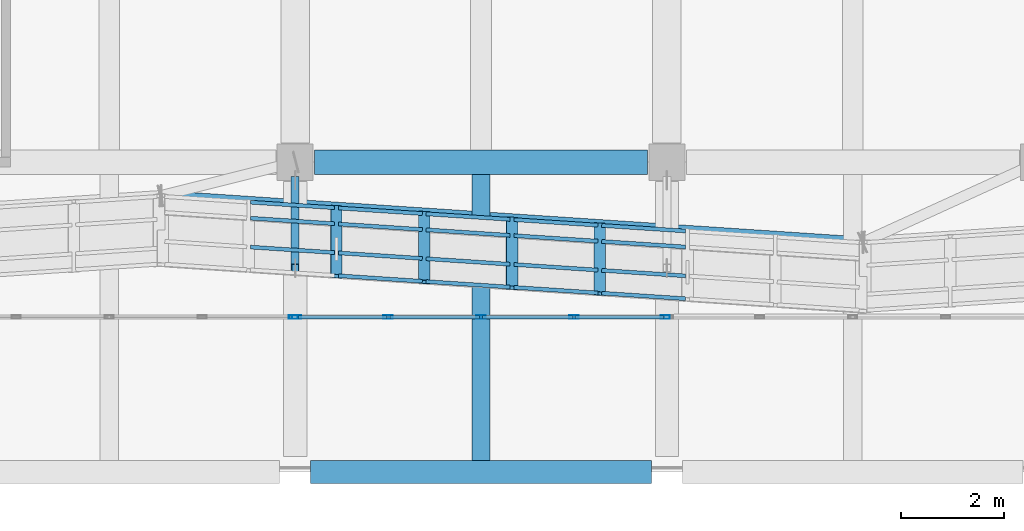
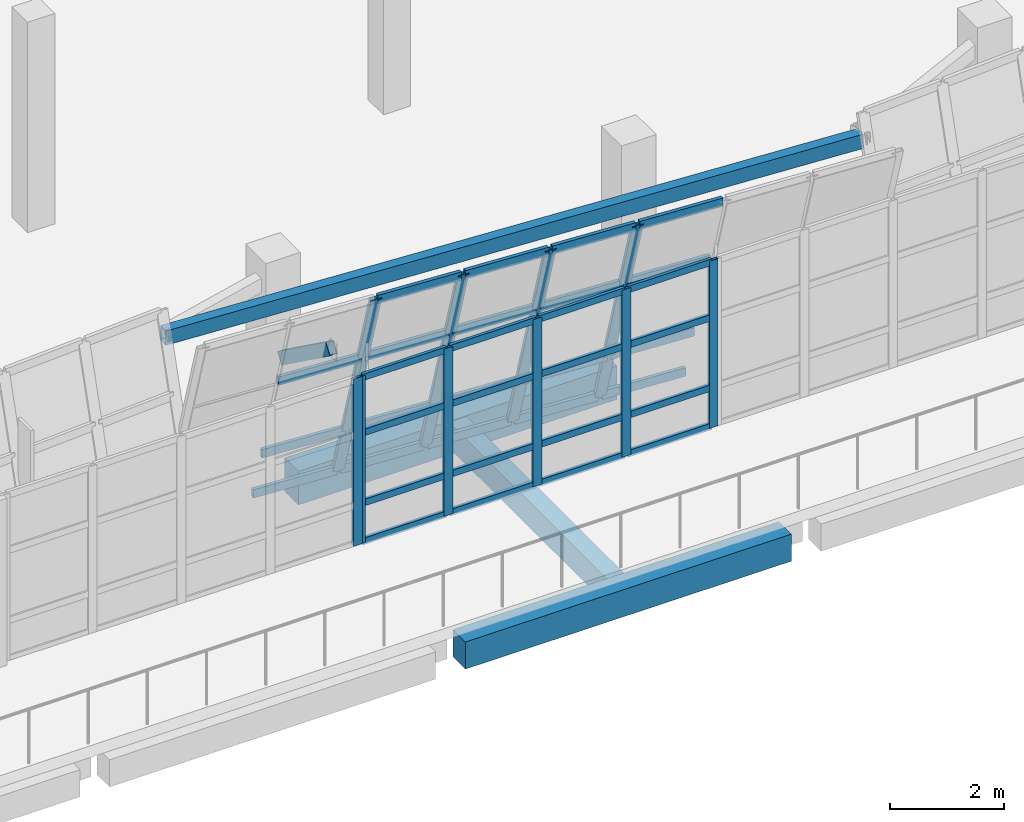
# One storey, part 9 of 67: 46 members, 4 beams, 3 elements without a shape of their own.
"""IFC4 building model written with IfcOpenShell, lengths in metres."""

from ifc_helpers import new_model, si_unit, direction, frame, origin, origin_2d, place, context, subcontext, project, spatial, rectangle, hollow_rectangle, extrude, material, material_profile, profile_set, type_object, element, aggregate, save


model = new_model("IFC4")

# Units and contexts
model_context = context("Model", 3, precision=1e-05, world=origin(), true_north=direction((0.0, 1.0)))
body_context = subcontext(model_context, "Body", "Model", "MODEL_VIEW")
ifc_project = project(units=[si_unit("LENGTHUNIT", "METRE"), si_unit("AREAUNIT", "SQUARE_METRE"), si_unit("VOLUMEUNIT", "CUBIC_METRE"), si_unit("PLANEANGLEUNIT", "RADIAN"), si_unit("MASSUNIT", "GRAM", prefix="KILO")], contexts=[model_context])

# Site, building, storey
site_placement = place(None, origin())
site = spatial("IfcSite", under=ifc_project, at=site_placement, CompositionType="ELEMENT")
building_placement = place(site_placement, origin())
building = spatial("IfcBuilding", under=site, at=building_placement, Name="Pellamere Symphony Hall", CompositionType="ELEMENT")
storey_placement = place(building_placement, frame((0.0, 0.0, 19.5)))
storey = spatial("IfcBuildingStorey", under=building, at=storey_placement, Name="L04", CompositionType="ELEMENT", Elevation=19.5)

# Curtain wall, members
ifc_material_1 = material(Name="Thermally Broken Anodised Aluminium 6063-T6 Curtain Wall", Category="aluminium")
curtain_wall_type_1 = type_object("IfcCurtainWallType", Name="Curtain Wall CW-01 (Tilted Faceted Crystal Low-Iron Curtain Wall)", PredefinedType="NOTDEFINED", material=ifc_material_1)
curtain_wall_1_placement = place(storey_placement, origin())
curtain_wall_1 = element("IfcCurtainWall", 1, at=curtain_wall_1_placement, inside=storey, type_object=curtain_wall_type_1, Name="Crystal Faceted Curtain Wall CW-CR03 (L04)", PredefinedType="NOTDEFINED")
ifc_material_2 = material(Name="Anodised Architectural Aluminium 6063-T6", Category="aluminium")
ifc_material_profile_1 = material_profile(ifc_material_2, hollow_rectangle(XDim=0.074951171875, YDim=0.219970703125, WallThickness=0.0048828125, at=origin_2d()), Name="ALU-M75X220X5")
ifc_profile_set_1 = profile_set([ifc_material_profile_1], Name="Anodised Architectural Aluminium 6063-T6")
member_type_1 = type_object("IfcMemberType", Name="Curtain Wall Mullion ML-01 ALU-M75X220X5", PredefinedType="MULLION", material=ifc_profile_set_1)
member_1_placement = place(storey_placement, frame((81.199951171875, 29.125, 0.0), z_axis=(0.0, -0.284024567884, 0.95881700279), x_axis=(0.066032040643, 0.956724387709, 0.283404685161)))
member_1 = element("IfcMember", 2, at=member_1_placement, type_object=member_type_1, Name="CW1-003 crystal mullion 3", PredefinedType="MULLION", context=body_context, shape_type="SweptSolid", body=[
    extrude(hollow_rectangle(XDim=0.074951171875, YDim=0.219970703125, WallThickness=0.0048828125, at=origin_2d()), origin(), (0.0, 0.0, 1.0), 4.693359375),
])
member_2_placement = place(storey_placement, frame((82.89990234375, 29.012451171875, 0.0), z_axis=(0.0, -0.284024567884, 0.95881700279), x_axis=(0.066032040643, 0.956724387709, 0.283404685161)))
member_2 = element("IfcMember", 3, at=member_2_placement, type_object=member_type_1, Name="CW1-003 crystal mullion 4", PredefinedType="MULLION", context=body_context, shape_type="SweptSolid", body=[
    extrude(hollow_rectangle(XDim=0.074951171875, YDim=0.219970703125, WallThickness=0.0048828125, at=origin_2d()), origin(), (0.0, 0.0, 1.0), 4.693359375),
])
member_3_placement = place(storey_placement, frame((84.60009765625, 28.89990234375, 0.0), z_axis=(0.0, -0.284024567884, 0.95881700279), x_axis=(0.066032040643, 0.956724387709, 0.283404685161)))
member_3 = element("IfcMember", 4, at=member_3_placement, type_object=member_type_1, Name="CW1-003 crystal mullion 5", PredefinedType="MULLION", context=body_context, shape_type="SweptSolid", body=[
    extrude(hollow_rectangle(XDim=0.074951171875, YDim=0.219970703125, WallThickness=0.0048828125, at=origin_2d()), origin(), (0.0, 0.0, 1.0), 4.693359375),
])
member_4_placement = place(storey_placement, frame((86.300048828125, 28.78759765625, 0.0), z_axis=(0.0, -0.284024567884, 0.95881700279), x_axis=(0.066032040643, 0.956724387709, 0.283404685161)))
member_4 = element("IfcMember", 5, at=member_4_placement, type_object=member_type_1, Name="CW1-003 crystal mullion 6", PredefinedType="MULLION", context=body_context, shape_type="SweptSolid", body=[
    extrude(hollow_rectangle(XDim=0.074951171875, YDim=0.219970703125, WallThickness=0.0048828125, at=origin_2d()), origin(), (0.0, 0.0, 1.0), 4.693359375),
])

# Curtain wall, member
curtain_wall_type_2 = type_object("IfcCurtainWallType", Name="Curtain Wall CW-06 (Belvedere Terrace Clerestory Curtain Wall)", PredefinedType="NOTDEFINED", material=ifc_material_1)
curtain_wall_2_placement = place(storey_placement, origin())
curtain_wall_2 = element("IfcCurtainWall", 6, at=curtain_wall_2_placement, inside=storey, type_object=curtain_wall_type_2, Name="Winter-Garden South Curtain Wall (L04 Bay 4)", PredefinedType="NOTDEFINED")
ifc_material_profile_2 = material_profile(ifc_material_2, hollow_rectangle(XDim=0.06494140625, YDim=0.179931640625, WallThickness=0.00390625, at=origin_2d()), Name="ALU-M65X180X4")
ifc_profile_set_2 = profile_set([ifc_material_profile_2], Name="Anodised Architectural Aluminium 6063-T6")
member_type_2 = type_object("IfcMemberType", Name="Curtain Wall Mullion ML-02 ALU-M65X180X4", PredefinedType="MULLION", material=ifc_profile_set_2)
member_5_placement = place(storey_placement, frame((80.367431640625, 27.0, 0.0), z_axis=(0.0, 0.0, 1.0), x_axis=(0.0, 1.0, 0.0)))
member_5 = element("IfcMember", 7, at=member_5_placement, type_object=member_type_2, Name="CW2-097 crystal mullion 5", PredefinedType="MULLION", context=body_context, shape_type="SweptSolid", body=[
    extrude(hollow_rectangle(XDim=0.06494140625, YDim=0.179931640625, WallThickness=0.00390625, at=origin_2d()), origin(), (0.0, 0.0, 1.0), 3.577392578125),
])
aggregate(curtain_wall_2, [member_5])

# Curtain wall, members
curtain_wall_3_placement = place(storey_placement, origin())
curtain_wall_3 = element("IfcCurtainWall", 8, at=curtain_wall_3_placement, inside=storey, type_object=curtain_wall_type_2, Name="Winter-Garden South Curtain Wall (L04 Bay 5)", PredefinedType="NOTDEFINED")
member_6_placement = place(storey_placement, frame((80.4326171875, 27.0, 0.0), z_axis=(0.0, 0.0, 1.0), x_axis=(0.0, 1.0, 0.0)))
member_6 = element("IfcMember", 9, at=member_6_placement, type_object=member_type_2, Name="CW2-098 crystal mullion 1", PredefinedType="MULLION", context=body_context, shape_type="SweptSolid", body=[
    extrude(hollow_rectangle(XDim=0.06494140625, YDim=0.179931640625, WallThickness=0.00390625, at=origin_2d()), origin(), (0.0, 0.0, 1.0), 3.577392578125),
])
member_7_placement = place(storey_placement, frame((82.199951171875, 27.0, 0.0), z_axis=(0.0, 0.0, 1.0), x_axis=(0.0, 1.0, 0.0)))
member_7 = element("IfcMember", 10, at=member_7_placement, type_object=member_type_2, Name="CW2-098 crystal mullion 2", PredefinedType="MULLION", context=body_context, shape_type="SweptSolid", body=[
    extrude(hollow_rectangle(XDim=0.06494140625, YDim=0.179931640625, WallThickness=0.00390625, at=origin_2d()), origin(), (0.0, 0.0, 1.0), 3.577392578125),
])
member_8_placement = place(storey_placement, frame((84.0, 27.0, 0.0), z_axis=(0.0, 0.0, 1.0), x_axis=(0.0, 1.0, 0.0)))
member_8 = element("IfcMember", 11, at=member_8_placement, type_object=member_type_2, Name="CW2-098 crystal mullion 3", PredefinedType="MULLION", context=body_context, shape_type="SweptSolid", body=[
    extrude(hollow_rectangle(XDim=0.06494140625, YDim=0.179931640625, WallThickness=0.00390625, at=origin_2d()), origin(), (0.0, 0.0, 1.0), 3.577392578125),
])
member_9_placement = place(storey_placement, frame((85.800048828125, 27.0, 0.0), z_axis=(0.0, 0.0, 1.0), x_axis=(0.0, 1.0, 0.0)))
member_9 = element("IfcMember", 12, at=member_9_placement, type_object=member_type_2, Name="CW2-098 crystal mullion 4", PredefinedType="MULLION", context=body_context, shape_type="SweptSolid", body=[
    extrude(hollow_rectangle(XDim=0.06494140625, YDim=0.179931640625, WallThickness=0.00390625, at=origin_2d()), origin(), (0.0, 0.0, 1.0), 3.577392578125),
])
member_10_placement = place(storey_placement, frame((87.5673828125, 27.0, 0.0), z_axis=(0.0, 0.0, 1.0), x_axis=(0.0, 1.0, 0.0)))
member_10 = element("IfcMember", 13, at=member_10_placement, type_object=member_type_2, Name="CW2-098 crystal mullion 5", PredefinedType="MULLION", context=body_context, shape_type="SweptSolid", body=[
    extrude(hollow_rectangle(XDim=0.06494140625, YDim=0.179931640625, WallThickness=0.00390625, at=origin_2d()), origin(), (0.0, 0.0, 1.0), 3.577392578125),
])

# Member
ifc_material_profile_3 = material_profile(ifc_material_2, hollow_rectangle(XDim=0.074951171875, YDim=0.179931640625, WallThickness=0.0048828125, at=origin_2d()), Name="ALU-T75X180X5")
ifc_profile_set_3 = profile_set([ifc_material_profile_3], Name="Anodised Architectural Aluminium 6063-T6")
member_type_3 = type_object("IfcMemberType", Name="Curtain Wall Transom TR-01 ALU-T75X180X5", PredefinedType="USERDEFINED", material=ifc_profile_set_3)
member_11_placement = place(storey_placement, frame((79.537353515625, 29.224365234375, 0.035888671875), z_axis=(0.997822801026, -0.065951935174, 0.0), x_axis=(0.065951935174, 0.997822801026, 0.0)))
member_11 = element("IfcMember", 14, at=member_11_placement, type_object=member_type_3, Name="CW1-003 crystal transom 2.1", ObjectType="TRANSOM", PredefinedType="USERDEFINED", context=body_context, shape_type="SweptSolid", body=[
    extrude(hollow_rectangle(XDim=0.074951171875, YDim=0.179931640625, WallThickness=0.0048828125, at=origin_2d()), origin(), (0.0, 0.0, 1.0), 1.62890625),
])

member_12_placement = place(storey_placement, frame((79.537353515625, 28.9150390625, 1.080078125), z_axis=(0.997822801026, -0.065951935174, 0.0), x_axis=(0.065951935174, 0.997822801026, 0.0)))
member_12 = element("IfcMember", 15, at=member_12_placement, type_object=member_type_3, Name="CW1-003 crystal transom 2.2", ObjectType="TRANSOM", PredefinedType="USERDEFINED", context=body_context, shape_type="SweptSolid", body=[
    extrude(hollow_rectangle(XDim=0.074951171875, YDim=0.179931640625, WallThickness=0.0048828125, at=origin_2d()), origin(), (0.0, 0.0, 1.0), 1.62890625),
])

member_13_placement = place(storey_placement, frame((79.537353515625, 28.355224609375, 2.969970703125), z_axis=(0.997822801026, -0.065951935174, 0.0), x_axis=(0.065951935174, 0.997822801026, 0.0)))
member_13 = element("IfcMember", 16, at=member_13_placement, type_object=member_type_3, Name="CW1-003 crystal transom 2.3", ObjectType="TRANSOM", PredefinedType="USERDEFINED", context=body_context, shape_type="SweptSolid", body=[
    extrude(hollow_rectangle(XDim=0.074951171875, YDim=0.179931640625, WallThickness=0.0048828125, at=origin_2d()), origin(), (0.0, 0.0, 1.0), 1.62890625),
])

member_14_placement = place(storey_placement, frame((81.2373046875, 29.11181640625, 0.035888671875), z_axis=(0.997822801026, -0.065951935174, 0.0), x_axis=(0.065951935174, 0.997822801026, 0.0)))
member_14 = element("IfcMember", 17, at=member_14_placement, type_object=member_type_3, Name="CW1-003 crystal transom 3.1", ObjectType="TRANSOM", PredefinedType="USERDEFINED", context=body_context, shape_type="SweptSolid", body=[
    extrude(hollow_rectangle(XDim=0.074951171875, YDim=0.179931640625, WallThickness=0.0048828125, at=origin_2d()), origin(), (0.0, 0.0, 1.0), 1.62890625),
])

member_15_placement = place(storey_placement, frame((81.2373046875, 28.802490234375, 1.080078125), z_axis=(0.997822801026, -0.065951935174, 0.0), x_axis=(0.065951935174, 0.997822801026, 0.0)))
member_15 = element("IfcMember", 18, at=member_15_placement, type_object=member_type_3, Name="CW1-003 crystal transom 3.2", ObjectType="TRANSOM", PredefinedType="USERDEFINED", context=body_context, shape_type="SweptSolid", body=[
    extrude(hollow_rectangle(XDim=0.074951171875, YDim=0.179931640625, WallThickness=0.0048828125, at=origin_2d()), origin(), (0.0, 0.0, 1.0), 1.62890625),
])

member_16_placement = place(storey_placement, frame((81.2373046875, 28.24267578125, 2.969970703125), z_axis=(0.997822801026, -0.065951935174, 0.0), x_axis=(0.065951935174, 0.997822801026, 0.0)))
member_16 = element("IfcMember", 19, at=member_16_placement, type_object=member_type_3, Name="CW1-003 crystal transom 3.3", ObjectType="TRANSOM", PredefinedType="USERDEFINED", context=body_context, shape_type="SweptSolid", body=[
    extrude(hollow_rectangle(XDim=0.074951171875, YDim=0.179931640625, WallThickness=0.0048828125, at=origin_2d()), origin(), (0.0, 0.0, 1.0), 1.62890625),
])

member_17_placement = place(storey_placement, frame((81.2373046875, 27.80029296875, 4.464111328125), z_axis=(0.9978129259, -0.066101171747, 0.0), x_axis=(0.066101171747, 0.9978129259, 0.0)))
member_17 = element("IfcMember", 20, at=member_17_placement, type_object=member_type_3, Name="CW1-003 crystal transom 3.4", ObjectType="TRANSOM", PredefinedType="USERDEFINED", context=body_context, shape_type="SweptSolid", body=[
    extrude(hollow_rectangle(XDim=0.074951171875, YDim=0.179931640625, WallThickness=0.0048828125, at=origin_2d()), origin(), (0.0, 0.0, 1.0), 1.62890625),
])

member_18_placement = place(storey_placement, frame((82.9375, 28.999267578125, 0.035888671875), z_axis=(0.997822148906, -0.065961800709, 0.0), x_axis=(0.065961800709, 0.997822148906, 0.0)))
member_18 = element("IfcMember", 21, at=member_18_placement, type_object=member_type_3, Name="CW1-003 crystal transom 4.1", ObjectType="TRANSOM", PredefinedType="USERDEFINED", context=body_context, shape_type="SweptSolid", body=[
    extrude(hollow_rectangle(XDim=0.074951171875, YDim=0.179931640625, WallThickness=0.0048828125, at=origin_2d()), origin(), (0.0, 0.0, 1.0), 1.628662109375),
])

member_19_placement = place(storey_placement, frame((82.9375, 28.690185546875, 1.080078125), z_axis=(0.997812270832, -0.066111059411, 0.0), x_axis=(0.066111059411, 0.997812270832, 0.0)))
member_19 = element("IfcMember", 22, at=member_19_placement, type_object=member_type_3, Name="CW1-003 crystal transom 4.2", ObjectType="TRANSOM", PredefinedType="USERDEFINED", context=body_context, shape_type="SweptSolid", body=[
    extrude(hollow_rectangle(XDim=0.074951171875, YDim=0.179931640625, WallThickness=0.0048828125, at=origin_2d()), origin(), (0.0, 0.0, 1.0), 1.628662109375),
])

member_20_placement = place(storey_placement, frame((82.9375, 28.130126953125, 2.969970703125), z_axis=(0.997822148906, -0.065961800709, 0.0), x_axis=(0.065961800709, 0.997822148906, 0.0)))
member_20 = element("IfcMember", 23, at=member_20_placement, type_object=member_type_3, Name="CW1-003 crystal transom 4.3", ObjectType="TRANSOM", PredefinedType="USERDEFINED", context=body_context, shape_type="SweptSolid", body=[
    extrude(hollow_rectangle(XDim=0.074951171875, YDim=0.179931640625, WallThickness=0.0048828125, at=origin_2d()), origin(), (0.0, 0.0, 1.0), 1.628662109375),
])

member_21_placement = place(storey_placement, frame((82.9375, 27.687744140625, 4.464111328125), z_axis=(0.997812270832, -0.066111059411, 0.0), x_axis=(0.066111059411, 0.997812270832, 0.0)))
member_21 = element("IfcMember", 24, at=member_21_placement, type_object=member_type_3, Name="CW1-003 crystal transom 4.4", ObjectType="TRANSOM", PredefinedType="USERDEFINED", context=body_context, shape_type="SweptSolid", body=[
    extrude(hollow_rectangle(XDim=0.074951171875, YDim=0.179931640625, WallThickness=0.0048828125, at=origin_2d()), origin(), (0.0, 0.0, 1.0), 1.628662109375),
])

member_22_placement = place(storey_placement, frame((84.637451171875, 28.886962890625, 0.035888671875), z_axis=(0.9978129259, -0.066101171747, 0.0), x_axis=(0.066101171747, 0.9978129259, 0.0)))
member_22 = element("IfcMember", 25, at=member_22_placement, type_object=member_type_3, Name="CW1-003 crystal transom 5.1", ObjectType="TRANSOM", PredefinedType="USERDEFINED", context=body_context, shape_type="SweptSolid", body=[
    extrude(hollow_rectangle(XDim=0.074951171875, YDim=0.179931640625, WallThickness=0.0048828125, at=origin_2d()), origin(), (0.0, 0.0, 1.0), 1.62890625),
])

member_23_placement = place(storey_placement, frame((84.637451171875, 28.57763671875, 1.080078125), z_axis=(0.9978129259, -0.066101171747, 0.0), x_axis=(0.066101171747, 0.9978129259, 0.0)))
member_23 = element("IfcMember", 26, at=member_23_placement, type_object=member_type_3, Name="CW1-003 crystal transom 5.2", ObjectType="TRANSOM", PredefinedType="USERDEFINED", context=body_context, shape_type="SweptSolid", body=[
    extrude(hollow_rectangle(XDim=0.074951171875, YDim=0.179931640625, WallThickness=0.0048828125, at=origin_2d()), origin(), (0.0, 0.0, 1.0), 1.62890625),
])

member_24_placement = place(storey_placement, frame((84.637451171875, 28.017822265625, 2.969970703125), z_axis=(0.9978129259, -0.066101171747, 0.0), x_axis=(0.066101171747, 0.9978129259, 0.0)))
member_24 = element("IfcMember", 27, at=member_24_placement, type_object=member_type_3, Name="CW1-003 crystal transom 5.3", ObjectType="TRANSOM", PredefinedType="USERDEFINED", context=body_context, shape_type="SweptSolid", body=[
    extrude(hollow_rectangle(XDim=0.074951171875, YDim=0.179931640625, WallThickness=0.0048828125, at=origin_2d()), origin(), (0.0, 0.0, 1.0), 1.62890625),
])

member_25_placement = place(storey_placement, frame((84.637451171875, 27.5751953125, 4.464111328125), z_axis=(0.9978129259, -0.066101171747, 0.0), x_axis=(0.066101171747, 0.9978129259, 0.0)))
member_25 = element("IfcMember", 28, at=member_25_placement, type_object=member_type_3, Name="CW1-003 crystal transom 5.4", ObjectType="TRANSOM", PredefinedType="USERDEFINED", context=body_context, shape_type="SweptSolid", body=[
    extrude(hollow_rectangle(XDim=0.074951171875, YDim=0.179931640625, WallThickness=0.0048828125, at=origin_2d()), origin(), (0.0, 0.0, 1.0), 1.62890625),
])

member_26_placement = place(storey_placement, frame((86.33740234375, 28.7744140625, 0.035888671875), z_axis=(0.9978129259, -0.066101171747, 0.0), x_axis=(0.066101171747, 0.9978129259, 0.0)))
member_26 = element("IfcMember", 29, at=member_26_placement, type_object=member_type_3, Name="CW1-003 crystal transom 6.1", ObjectType="TRANSOM", PredefinedType="USERDEFINED", context=body_context, shape_type="SweptSolid", body=[
    extrude(hollow_rectangle(XDim=0.074951171875, YDim=0.179931640625, WallThickness=0.0048828125, at=origin_2d()), origin(), (0.0, 0.0, 1.0), 1.62890625),
])

member_27_placement = place(storey_placement, frame((86.33740234375, 28.465087890625, 1.080078125), z_axis=(0.997822801026, -0.065951935174, 0.0), x_axis=(0.065951935174, 0.997822801026, 0.0)))
member_27 = element("IfcMember", 30, at=member_27_placement, type_object=member_type_3, Name="CW1-003 crystal transom 6.2", ObjectType="TRANSOM", PredefinedType="USERDEFINED", context=body_context, shape_type="SweptSolid", body=[
    extrude(hollow_rectangle(XDim=0.074951171875, YDim=0.179931640625, WallThickness=0.0048828125, at=origin_2d()), origin(), (0.0, 0.0, 1.0), 1.62890625),
])

member_28_placement = place(storey_placement, frame((86.33740234375, 27.9052734375, 2.969970703125), z_axis=(0.9978129259, -0.066101171747, 0.0), x_axis=(0.066101171747, 0.9978129259, 0.0)))
member_28 = element("IfcMember", 31, at=member_28_placement, type_object=member_type_3, Name="CW1-003 crystal transom 6.3", ObjectType="TRANSOM", PredefinedType="USERDEFINED", context=body_context, shape_type="SweptSolid", body=[
    extrude(hollow_rectangle(XDim=0.074951171875, YDim=0.179931640625, WallThickness=0.0048828125, at=origin_2d()), origin(), (0.0, 0.0, 1.0), 1.62890625),
])

member_29_placement = place(storey_placement, frame((86.33740234375, 27.462646484375, 4.464111328125), z_axis=(0.997822801026, -0.065951935174, 0.0), x_axis=(0.065951935174, 0.997822801026, 0.0)))
member_29 = element("IfcMember", 32, at=member_29_placement, type_object=member_type_3, Name="CW1-003 crystal transom 6.4", ObjectType="TRANSOM", PredefinedType="USERDEFINED", context=body_context, shape_type="SweptSolid", body=[
    extrude(hollow_rectangle(XDim=0.074951171875, YDim=0.179931640625, WallThickness=0.0048828125, at=origin_2d()), origin(), (0.0, 0.0, 1.0), 1.62890625),
])

aggregate(curtain_wall_1, [member_1, member_2, member_3, member_4, member_11, member_12, member_13, member_14, member_15, member_16, member_17, member_18, member_19, member_20, member_21, member_22, member_23, member_24, member_25, member_26, member_27, member_28, member_29])

ifc_material_profile_4 = material_profile(ifc_material_2, hollow_rectangle(XDim=0.06494140625, YDim=0.139892578125, WallThickness=0.00390625, at=origin_2d()), Name="ALU-T65X140X4")
ifc_profile_set_4 = profile_set([ifc_material_profile_4], Name="Anodised Architectural Aluminium 6063-T6")
member_type_4 = type_object("IfcMemberType", Name="Curtain Wall Transom TR-02 ALU-T65X140X4", PredefinedType="USERDEFINED", material=ifc_profile_set_4)
member_30_placement = place(storey_placement, frame((80.465087890625, 27.0, 0.032470703125), z_axis=(1.0, 0.0, 0.0), x_axis=(0.0, 1.0, 0.0)))
member_30 = element("IfcMember", 33, at=member_30_placement, type_object=member_type_4, Name="CW2-098 crystal transom 1.1", ObjectType="TRANSOM", PredefinedType="USERDEFINED", context=body_context, shape_type="SweptSolid", body=[
    extrude(hollow_rectangle(XDim=0.06494140625, YDim=0.139892578125, WallThickness=0.00390625, at=origin_2d()), origin(), (0.0, 0.0, 1.0), 1.702392578125),
])

member_31_placement = place(storey_placement, frame((80.465087890625, 27.0, 0.858642578125), z_axis=(1.0, 0.0, 0.0), x_axis=(0.0, 1.0, 0.0)))
member_31 = element("IfcMember", 34, at=member_31_placement, type_object=member_type_4, Name="CW2-098 crystal transom 1.2", ObjectType="TRANSOM", PredefinedType="USERDEFINED", context=body_context, shape_type="SweptSolid", body=[
    extrude(hollow_rectangle(XDim=0.06494140625, YDim=0.139892578125, WallThickness=0.00390625, at=origin_2d()), origin(), (0.0, 0.0, 1.0), 1.702392578125),
])

member_32_placement = place(storey_placement, frame((80.465087890625, 27.0, 2.361083984375), z_axis=(1.0, 0.0, 0.0), x_axis=(0.0, 1.0, 0.0)))
member_32 = element("IfcMember", 35, at=member_32_placement, type_object=member_type_4, Name="CW2-098 crystal transom 1.3", ObjectType="TRANSOM", PredefinedType="USERDEFINED", context=body_context, shape_type="SweptSolid", body=[
    extrude(hollow_rectangle(XDim=0.06494140625, YDim=0.139892578125, WallThickness=0.00390625, at=origin_2d()), origin(), (0.0, 0.0, 1.0), 1.702392578125),
])

member_33_placement = place(storey_placement, frame((80.465087890625, 27.0, 3.544921875), z_axis=(1.0, 0.0, 0.0), x_axis=(0.0, 1.0, 0.0)))
member_33 = element("IfcMember", 36, at=member_33_placement, type_object=member_type_4, Name="CW2-098 crystal transom 1.4", ObjectType="TRANSOM", PredefinedType="USERDEFINED", context=body_context, shape_type="SweptSolid", body=[
    extrude(hollow_rectangle(XDim=0.06494140625, YDim=0.139892578125, WallThickness=0.00390625, at=origin_2d()), origin(), (0.0, 0.0, 1.0), 1.702392578125),
])

member_34_placement = place(storey_placement, frame((82.232421875, 27.0, 0.032470703125), z_axis=(1.0, 0.0, 0.0), x_axis=(0.0, 1.0, 0.0)))
member_34 = element("IfcMember", 37, at=member_34_placement, type_object=member_type_4, Name="CW2-098 crystal transom 2.1", ObjectType="TRANSOM", PredefinedType="USERDEFINED", context=body_context, shape_type="SweptSolid", body=[
    extrude(hollow_rectangle(XDim=0.06494140625, YDim=0.139892578125, WallThickness=0.00390625, at=origin_2d()), origin(), (0.0, 0.0, 1.0), 1.735107421875),
])

member_35_placement = place(storey_placement, frame((82.232421875, 27.0, 0.858642578125), z_axis=(1.0, 0.0, 0.0), x_axis=(0.0, 1.0, 0.0)))
member_35 = element("IfcMember", 38, at=member_35_placement, type_object=member_type_4, Name="CW2-098 crystal transom 2.2", ObjectType="TRANSOM", PredefinedType="USERDEFINED", context=body_context, shape_type="SweptSolid", body=[
    extrude(hollow_rectangle(XDim=0.06494140625, YDim=0.139892578125, WallThickness=0.00390625, at=origin_2d()), origin(), (0.0, 0.0, 1.0), 1.735107421875),
])

member_36_placement = place(storey_placement, frame((82.232421875, 27.0, 2.361083984375), z_axis=(1.0, 0.0, 0.0), x_axis=(0.0, 1.0, 0.0)))
member_36 = element("IfcMember", 39, at=member_36_placement, type_object=member_type_4, Name="CW2-098 crystal transom 2.3", ObjectType="TRANSOM", PredefinedType="USERDEFINED", context=body_context, shape_type="SweptSolid", body=[
    extrude(hollow_rectangle(XDim=0.06494140625, YDim=0.139892578125, WallThickness=0.00390625, at=origin_2d()), origin(), (0.0, 0.0, 1.0), 1.735107421875),
])

member_37_placement = place(storey_placement, frame((82.232421875, 27.0, 3.544921875), z_axis=(1.0, 0.0, 0.0), x_axis=(0.0, 1.0, 0.0)))
member_37 = element("IfcMember", 40, at=member_37_placement, type_object=member_type_4, Name="CW2-098 crystal transom 2.4", ObjectType="TRANSOM", PredefinedType="USERDEFINED", context=body_context, shape_type="SweptSolid", body=[
    extrude(hollow_rectangle(XDim=0.06494140625, YDim=0.139892578125, WallThickness=0.00390625, at=origin_2d()), origin(), (0.0, 0.0, 1.0), 1.735107421875),
])

member_38_placement = place(storey_placement, frame((84.032470703125, 27.0, 0.032470703125), z_axis=(1.0, 0.0, 0.0), x_axis=(0.0, 1.0, 0.0)))
member_38 = element("IfcMember", 41, at=member_38_placement, type_object=member_type_4, Name="CW2-098 crystal transom 3.1", ObjectType="TRANSOM", PredefinedType="USERDEFINED", context=body_context, shape_type="SweptSolid", body=[
    extrude(hollow_rectangle(XDim=0.06494140625, YDim=0.139892578125, WallThickness=0.00390625, at=origin_2d()), origin(), (0.0, 0.0, 1.0), 1.735107421875),
])

member_39_placement = place(storey_placement, frame((84.032470703125, 27.0, 0.858642578125), z_axis=(1.0, 0.0, 0.0), x_axis=(0.0, 1.0, 0.0)))
member_39 = element("IfcMember", 42, at=member_39_placement, type_object=member_type_4, Name="CW2-098 crystal transom 3.2", ObjectType="TRANSOM", PredefinedType="USERDEFINED", context=body_context, shape_type="SweptSolid", body=[
    extrude(hollow_rectangle(XDim=0.06494140625, YDim=0.139892578125, WallThickness=0.00390625, at=origin_2d()), origin(), (0.0, 0.0, 1.0), 1.735107421875),
])

member_40_placement = place(storey_placement, frame((84.032470703125, 27.0, 2.361083984375), z_axis=(1.0, 0.0, 0.0), x_axis=(0.0, 1.0, 0.0)))
member_40 = element("IfcMember", 43, at=member_40_placement, type_object=member_type_4, Name="CW2-098 crystal transom 3.3", ObjectType="TRANSOM", PredefinedType="USERDEFINED", context=body_context, shape_type="SweptSolid", body=[
    extrude(hollow_rectangle(XDim=0.06494140625, YDim=0.139892578125, WallThickness=0.00390625, at=origin_2d()), origin(), (0.0, 0.0, 1.0), 1.735107421875),
])

member_41_placement = place(storey_placement, frame((84.032470703125, 27.0, 3.544921875), z_axis=(1.0, 0.0, 0.0), x_axis=(0.0, 1.0, 0.0)))
member_41 = element("IfcMember", 44, at=member_41_placement, type_object=member_type_4, Name="CW2-098 crystal transom 3.4", ObjectType="TRANSOM", PredefinedType="USERDEFINED", context=body_context, shape_type="SweptSolid", body=[
    extrude(hollow_rectangle(XDim=0.06494140625, YDim=0.139892578125, WallThickness=0.00390625, at=origin_2d()), origin(), (0.0, 0.0, 1.0), 1.735107421875),
])

member_42_placement = place(storey_placement, frame((85.83251953125, 27.0, 0.032470703125), z_axis=(1.0, 0.0, 0.0), x_axis=(0.0, 1.0, 0.0)))
member_42 = element("IfcMember", 45, at=member_42_placement, type_object=member_type_4, Name="CW2-098 crystal transom 4.1", ObjectType="TRANSOM", PredefinedType="USERDEFINED", context=body_context, shape_type="SweptSolid", body=[
    extrude(hollow_rectangle(XDim=0.06494140625, YDim=0.139892578125, WallThickness=0.00390625, at=origin_2d()), origin(), (0.0, 0.0, 1.0), 1.702392578125),
])

member_43_placement = place(storey_placement, frame((85.83251953125, 27.0, 0.858642578125), z_axis=(1.0, 0.0, 0.0), x_axis=(0.0, 1.0, 0.0)))
member_43 = element("IfcMember", 46, at=member_43_placement, type_object=member_type_4, Name="CW2-098 crystal transom 4.2", ObjectType="TRANSOM", PredefinedType="USERDEFINED", context=body_context, shape_type="SweptSolid", body=[
    extrude(hollow_rectangle(XDim=0.06494140625, YDim=0.139892578125, WallThickness=0.00390625, at=origin_2d()), origin(), (0.0, 0.0, 1.0), 1.702392578125),
])

member_44_placement = place(storey_placement, frame((85.83251953125, 27.0, 2.361083984375), z_axis=(1.0, 0.0, 0.0), x_axis=(0.0, 1.0, 0.0)))
member_44 = element("IfcMember", 47, at=member_44_placement, type_object=member_type_4, Name="CW2-098 crystal transom 4.3", ObjectType="TRANSOM", PredefinedType="USERDEFINED", context=body_context, shape_type="SweptSolid", body=[
    extrude(hollow_rectangle(XDim=0.06494140625, YDim=0.139892578125, WallThickness=0.00390625, at=origin_2d()), origin(), (0.0, 0.0, 1.0), 1.702392578125),
])

member_45_placement = place(storey_placement, frame((85.83251953125, 27.0, 3.544921875), z_axis=(1.0, 0.0, 0.0), x_axis=(0.0, 1.0, 0.0)))
member_45 = element("IfcMember", 48, at=member_45_placement, type_object=member_type_4, Name="CW2-098 crystal transom 4.4", ObjectType="TRANSOM", PredefinedType="USERDEFINED", context=body_context, shape_type="SweptSolid", body=[
    extrude(hollow_rectangle(XDim=0.06494140625, YDim=0.139892578125, WallThickness=0.00390625, at=origin_2d()), origin(), (0.0, 0.0, 1.0), 1.702392578125),
])

aggregate(curtain_wall_3, [member_6, member_7, member_8, member_9, member_10, member_30, member_31, member_32, member_33, member_34, member_35, member_36, member_37, member_38, member_39, member_40, member_41, member_42, member_43, member_44, member_45])

# Beams
ifc_material_3 = material(Name="Concrete 35 MPa", Category="concrete")
ifc_material_profile_5 = material_profile(ifc_material_3, rectangle(XDim=0.35009765625, YDim=0.550048828125, at=origin_2d()), Name="RC 350x550")
ifc_profile_set_5 = profile_set([ifc_material_profile_5], Name="Concrete 35 MPa")
beam_type_1 = type_object("IfcBeamType", Name="RC CB-10 350x550", PredefinedType="BEAM", material=ifc_profile_set_5)
beam_1_placement = place(storey_placement, frame((84.0, 24.219970703125, -0.550048828125), z_axis=(0.0, 1.0, 0.0), x_axis=(-1.0, 0.0, 0.0)))
element("IfcBeam", 49, at=beam_1_placement, inside=storey, type_object=beam_type_1, Name="Secondary Floor Beam CB-10-M1003 (L04)", PredefinedType="BEAM", context=body_context, shape_type="SweptSolid", body=[
    extrude(rectangle(XDim=0.35009765625, YDim=0.550048828125, at=origin_2d()), origin(), (0.0, 0.0, 1.0), 5.5400390625),
])
ifc_material_4 = material(Name="Concrete 40 MPa", Category="concrete")
ifc_material_profile_6 = material_profile(ifc_material_4, rectangle(XDim=0.47998046875, YDim=0.719970703125, at=origin_2d()), Name="RC 480x720")
ifc_profile_set_6 = profile_set([ifc_material_profile_6], Name="Concrete 40 MPa")
beam_type_2 = type_object("IfcBeamType", Name="RC CB-14 480x720", PredefinedType="SPANDREL", material=ifc_profile_set_6)
beam_2_placement = place(storey_placement, frame((80.77490234375, 30.0, -0.6201171875), z_axis=(1.0, 0.0, 0.0), x_axis=(0.0, 1.0, 0.0)))
element("IfcBeam", 50, at=beam_2_placement, inside=storey, type_object=beam_type_2, Name="Girder CB-14-X1807 (L04)", PredefinedType="SPANDREL", context=body_context, shape_type="SweptSolid", body=[
    extrude(rectangle(XDim=0.47998046875, YDim=0.719970703125, at=origin_2d()), origin(), (0.0, 0.0, 1.0), 6.4501953125),
])
ifc_material_profile_7 = material_profile(ifc_material_4, rectangle(XDim=0.43994140625, YDim=0.580078125, at=origin_2d()), Name="RC 440x580")
ifc_profile_set_7 = profile_set([ifc_material_profile_7], Name="Concrete 40 MPa")
beam_type_3 = type_object("IfcBeamType", Name="RC CB-20 440x580", PredefinedType="BEAM", material=ifc_profile_set_7)
beam_3_placement = place(storey_placement, frame((80.699951171875, 24.0, -0.550048828125), z_axis=(1.0, 0.0, 0.0), x_axis=(0.0, 1.0, 0.0)))
element("IfcBeam", 51, at=beam_3_placement, inside=storey, type_object=beam_type_3, Name="Girder CB-20-X1797 (L04)", PredefinedType="BEAM", context=body_context, shape_type="SweptSolid", body=[
    extrude(rectangle(XDim=0.43994140625, YDim=0.580078125, at=origin_2d()), origin(), (0.0, 0.0, 1.0), 6.60009765625),
])

# Member
ifc_material_5 = material(Name="Steel CSA G40.21 350W", Category="steel")
ifc_material_profile_8 = material_profile(ifc_material_5, hollow_rectangle(XDim=0.15234375, YDim=0.25390625, WallThickness=0.010986328125, at=origin_2d()), Name="HSS254X152X11")
ifc_profile_set_8 = profile_set([ifc_material_profile_8], Name="Steel CSA G40.21 350W")
member_type_5 = type_object("IfcMemberType", Name="Steel Member SM-07 HSS254X152X11", PredefinedType="STRUT", material=ifc_profile_set_8)
member_46_placement = place(storey_placement, frame((80.39990234375, 29.64990234375, 2.3798828125), z_axis=(0.0, -0.810117421181, 0.586267655512), x_axis=(1.0, 0.0, 0.0)))
element("IfcMember", 52, at=member_46_placement, inside=storey, type_object=member_type_5, Name="Winter-Garden Canopy Knee Strut 04", PredefinedType="STRUT", context=body_context, shape_type="SweptSolid", body=[
    extrude(hollow_rectangle(XDim=0.15234375, YDim=0.25390625, WallThickness=0.010986328125, at=origin_2d()), origin(), (0.0, 0.0, 1.0), 2.098388671875),
])

# Beam
ifc_material_profile_9 = material_profile(ifc_material_5, hollow_rectangle(XDim=0.203125, YDim=0.3046875, WallThickness=0.0126953125, at=origin_2d()), Name="HSS305X203X13")
ifc_profile_set_9 = profile_set([ifc_material_profile_9], Name="Steel CSA G40.21 350W")
beam_type_4 = type_object("IfcBeamType", Name="Steel Spandrel SB-26 HSS305X203X13", PredefinedType="SPANDREL", material=ifc_profile_set_9)
beam_4_placement = place(storey_placement, frame((77.800048828125, 29.35009765625, 3.93994140625), z_axis=(0.9978167481, -0.066043449425, 0.0), x_axis=(0.066043449425, 0.9978167481, 0.0)))
element("IfcBeam", 53, at=beam_4_placement, inside=storey, type_object=beam_type_4, Name="Crystal Perimeter Ring Beam CW-CR03 (L04)", PredefinedType="SPANDREL", context=body_context, shape_type="SweptSolid", body=[
    extrude(hollow_rectangle(XDim=0.203125, YDim=0.3046875, WallThickness=0.0126953125, at=origin_2d()), origin(), (0.0, 0.0, 1.0), 13.629638671875),
])

save(model, "model.ifc")
